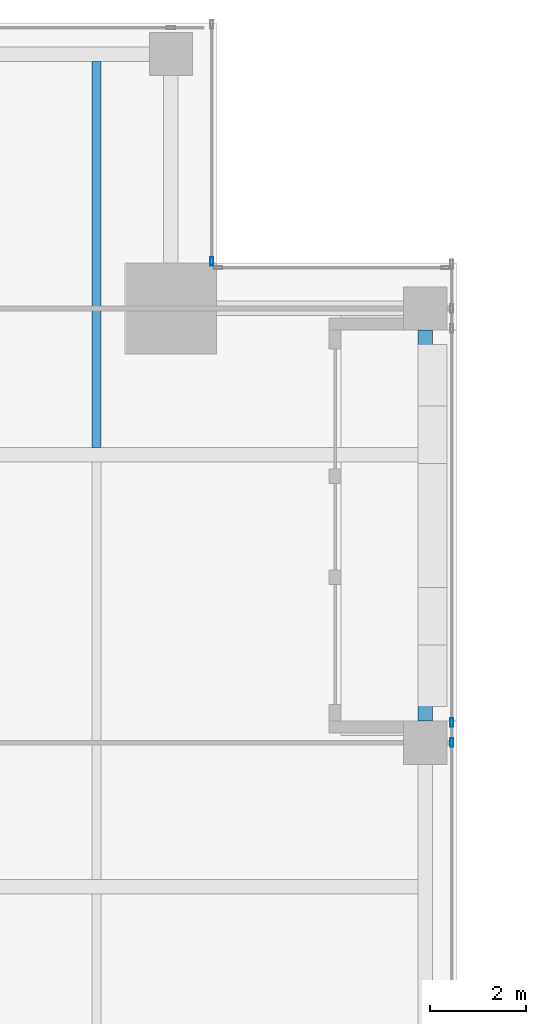
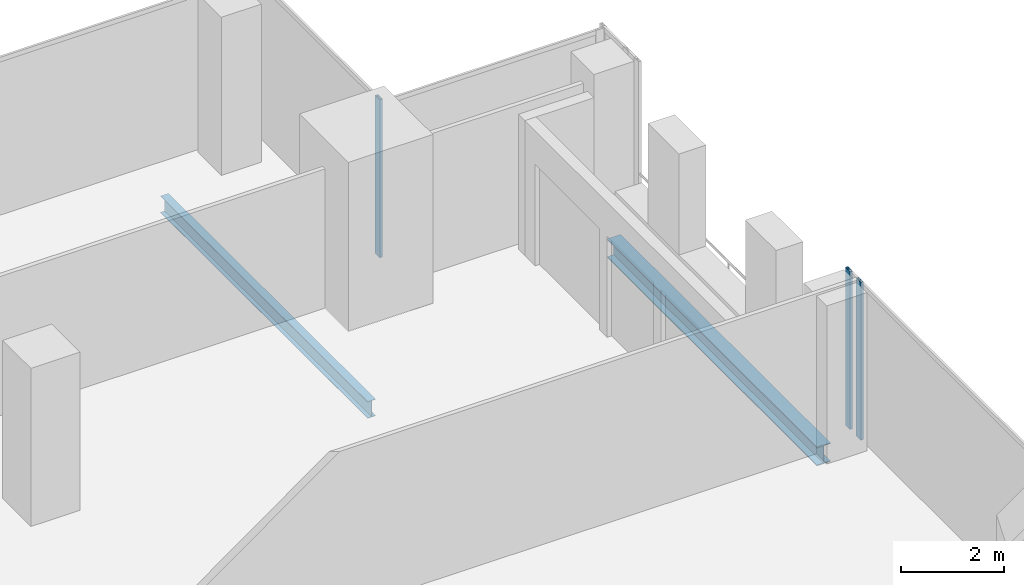
# One storey, part 21 of 35: 3 members, 2 beams, 2 elements without a shape of their own.
"""IFC4 building model written with IfcOpenShell, lengths in metres."""

from ifc_helpers import new_model, si_unit, direction, frame, origin, origin_2d, place, context, subcontext, project, spatial, hollow_rectangle, i_section, extrude, source, transform, mapped, material, material_profile, profile_set, type_object, element, aggregate, save


model = new_model("IFC4")

# Units and contexts
model_context = context("Model", 3, precision=1e-05, world=origin(), true_north=direction((0.0, 1.0)))
body_context = subcontext(model_context, "Body", "Model", "MODEL_VIEW")
ifc_project = project(units=[si_unit("LENGTHUNIT", "METRE"), si_unit("AREAUNIT", "SQUARE_METRE"), si_unit("VOLUMEUNIT", "CUBIC_METRE"), si_unit("PLANEANGLEUNIT", "RADIAN"), si_unit("MASSUNIT", "GRAM", prefix="KILO")], contexts=[model_context])

# Site, building, storey
site_placement = place(None, origin())
site = spatial("IfcSite", under=ifc_project, at=site_placement, CompositionType="ELEMENT")
building_placement = place(site_placement, origin())
building = spatial("IfcBuilding", under=site, at=building_placement, Name="Khomas Fold Tower", CompositionType="ELEMENT")
storey_placement = place(building_placement, frame((0.0, 0.0, 250.199951171875)))
storey = spatial("IfcBuildingStorey", under=building, at=storey_placement, Name="L56", CompositionType="ELEMENT", Elevation=250.199951171875)

# Beams
ifc_material_1 = material(Name="Steel S355", Category="steel")
ifc_material_profile_1 = material_profile(ifc_material_1, i_section(OverallWidth=0.300048828125, OverallDepth=0.449951171875, WebThickness=0.013916015625, FlangeThickness=0.02587890625, at=origin_2d()), Name="HE 450 B")
ifc_profile_set_1 = profile_set([ifc_material_profile_1], Name="Steel S355")
beam_type_1 = type_object("IfcBeamType", Name="HE 450 B spandrel SB4", PredefinedType="SPANDREL", material=ifc_profile_set_1)
shared_shape_1 = source(origin(), body_context, "Body", "SweptSolid", [
    extrude(i_section(OverallWidth=0.300048828125, OverallDepth=0.449951171875, WebThickness=0.013916015625, FlangeThickness=0.02587890625, at=origin_2d()), origin(), (0.0, 0.0, 1.0), 8.150146484375),
])
beam_1_placement = place(storey_placement, frame((48.85009765625, 34.949951171875, -0.474853515625), z_axis=(0.0, 1.0, 0.0), x_axis=(-1.0, 0.0, 0.0)))
element("IfcBeam", 1, at=beam_1_placement, inside=storey, type_object=beam_type_1, Name="SB4", PredefinedType="SPANDREL", context=body_context, shape_type="MappedRepresentation", body=[
    mapped(shared_shape_1, transform((0.0, 0.0, 0.0))),
])
ifc_material_2 = material(Name="Steel S355", Category="steel")
ifc_material_profile_2 = material_profile(ifc_material_2, i_section(OverallWidth=0.179931640625, OverallDepth=0.39990234375, WebThickness=0.008544921875, FlangeThickness=0.013427734375, at=origin_2d()), Name="IPE 400")
ifc_profile_set_2 = profile_set([ifc_material_profile_2], Name="Steel S355")
beam_type_2 = type_object("IfcBeamType", Name="IPE 400 beam JB3", PredefinedType="BEAM", material=ifc_profile_set_2)
shared_shape_2 = source(origin(), body_context, "Body", "SweptSolid", [
    extrude(i_section(OverallWidth=0.179931640625, OverallDepth=0.39990234375, WebThickness=0.008544921875, FlangeThickness=0.013427734375, at=origin_2d()), origin(), (0.0, 0.0, 1.0), 8.050048828125),
])
beam_2_placement = place(storey_placement, frame((42.0, 40.64990234375, -0.449951171875), z_axis=(0.0, 1.0, 0.0), x_axis=(-1.0, 0.0, 0.0)))
element("IfcBeam", 2, at=beam_2_placement, inside=storey, type_object=beam_type_2, Name="JB3", PredefinedType="BEAM", context=body_context, shape_type="MappedRepresentation", body=[
    mapped(shared_shape_2, transform((0.0, 0.0, 0.0))),
])

# Curtain wall, members
ifc_material_3 = material(Name="Aluminium framed double glazing", Category="aluminium")
curtain_wall_type = type_object("IfcCurtainWallType", Name="SK-Unitised clear-glass wall, office floors CW2", PredefinedType="NOTDEFINED", material=ifc_material_3)
curtain_wall_1_placement = place(storey_placement, origin())
curtain_wall_1 = element("IfcCurtainWall", 3, at=curtain_wall_1_placement, inside=storey, type_object=curtain_wall_type, Name="CW2 run L56 03-0", PredefinedType="NOTDEFINED")
ifc_material_4 = material(Name="Aluminium", Category="aluminium")
ifc_material_profile_3 = material_profile(ifc_material_4, hollow_rectangle(XDim=0.06005859375, YDim=0.179931640625, WallThickness=0.00390625, at=origin_2d()), Name="SK-Unitised clear-glass wall, office floors mullion CW2-M")
ifc_profile_set_3 = profile_set([ifc_material_profile_3], Name="Aluminium")
member_type = type_object("IfcMemberType", Name="SK-Unitised clear-glass wall, office floors mullion CW2-M", PredefinedType="MULLION", material=ifc_profile_set_3)
shared_shape_3 = source(origin(), body_context, "Body", "SweptSolid", [
    extrude(hollow_rectangle(XDim=0.06005859375, YDim=0.179931640625, WallThickness=0.00390625, at=origin_2d()), origin(), (0.0, 0.0, 1.0), 3.75),
])
member_1_placement = place(storey_placement, frame((49.39990234375, 34.5, 0.0), z_axis=(0.0, 0.0, 1.0), x_axis=(-1.0, 0.0, 0.0)))
member_1 = element("IfcMember", 4, at=member_1_placement, type_object=member_type, Name="CW2 mullion 5", PredefinedType="MULLION", context=body_context, shape_type="MappedRepresentation", body=[
    mapped(shared_shape_3, transform((0.0, 0.0, 0.0))),
])
member_2_placement = place(storey_placement, frame((49.39990234375, 34.919921875, 0.0), z_axis=(0.0, 0.0, 1.0), x_axis=(-1.0, 0.0, 0.0)))
member_2 = element("IfcMember", 5, at=member_2_placement, type_object=member_type, Name="CW2 mullion 6", PredefinedType="MULLION", context=body_context, shape_type="MappedRepresentation", body=[
    mapped(shared_shape_3, transform((0.0, 0.0, 0.0))),
])
aggregate(curtain_wall_1, [member_1, member_2])

# Curtain wall, member
curtain_wall_2_placement = place(storey_placement, origin())
curtain_wall_2 = element("IfcCurtainWall", 6, at=curtain_wall_2_placement, inside=storey, type_object=curtain_wall_type, Name="CW2 corner return L56 05", PredefinedType="NOTDEFINED")
member_3_placement = place(storey_placement, frame((44.39990234375, 44.530029296875, 0.0), z_axis=(0.0, 0.0, 1.0), x_axis=(-1.0, 0.0, 0.0)))
member_3 = element("IfcMember", 7, at=member_3_placement, type_object=member_type, Name="CW2 mullion 1", PredefinedType="MULLION", context=body_context, shape_type="MappedRepresentation", body=[
    mapped(shared_shape_3, transform((0.0, 0.0, 0.0))),
])
aggregate(curtain_wall_2, [member_3])

save(model, "model.ifc")
